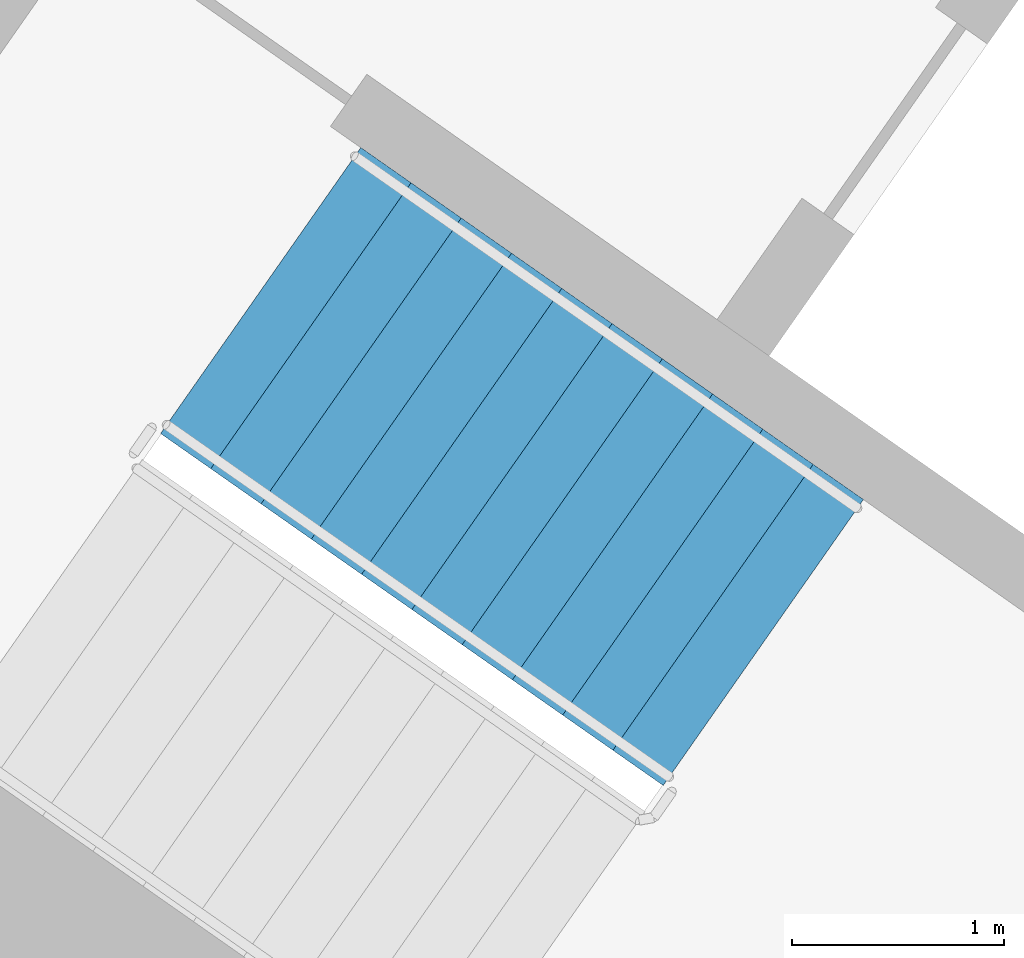
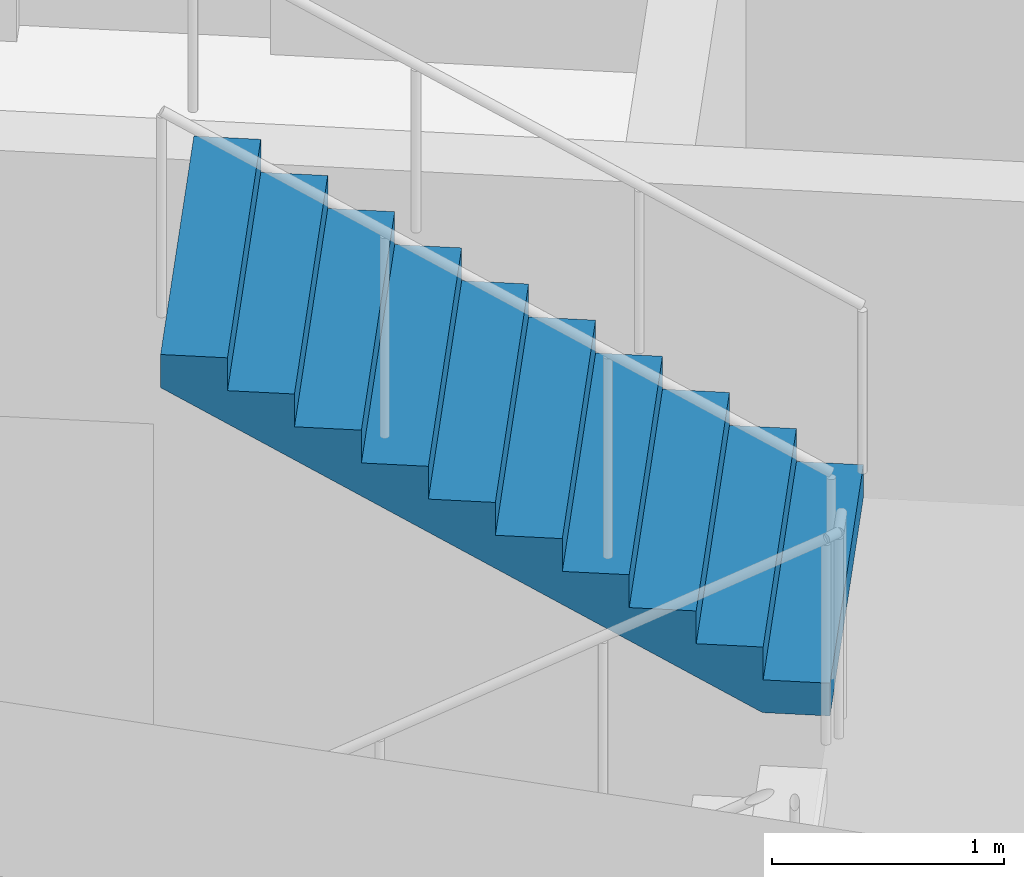
# One storey, part 11 of 33: 1 stair flight, 1 element without a shape of its own.
"""IFC4 building model written with IfcOpenShell, lengths in metres."""

from ifc_helpers import new_model, si_unit, direction, frame, origin, place, context, subcontext, project, spatial, faceted_brep, material, type_object, element, aggregate, save


model = new_model("IFC4")

# Units and contexts
model_context = context("Model", 3, precision=1e-05, world=origin(), true_north=direction((0.0, 1.0)))
body_context = subcontext(model_context, "Body", "Model", "MODEL_VIEW")
ifc_project = project(units=[si_unit("LENGTHUNIT", "METRE"), si_unit("AREAUNIT", "SQUARE_METRE"), si_unit("VOLUMEUNIT", "CUBIC_METRE"), si_unit("PLANEANGLEUNIT", "RADIAN"), si_unit("MASSUNIT", "GRAM", prefix="KILO")], contexts=[model_context])

# Site, building, storey
site_placement = place(None, origin())
site = spatial("IfcSite", under=ifc_project, at=site_placement, CompositionType="ELEMENT")
building_placement = place(site_placement, origin())
building = spatial("IfcBuilding", under=site, at=building_placement, Name="Qamariyya Broadcast Tower", CompositionType="ELEMENT")
storey_placement = place(building_placement, frame((0.0, 0.0, 94.89990234375)))
storey = spatial("IfcBuildingStorey", under=building, at=storey_placement, Name="L20", CompositionType="ELEMENT", Elevation=94.89990234375)

# Stair, stair flight
ifc_material = material(Name="Concrete C50/60", Category="concrete")
stair_type = type_object("IfcStairType", Name="Exit stair 22 risers of 173 mm", PredefinedType="HALF_TURN_STAIR", material=ifc_material)
stair_placement = place(storey_placement, origin())
stair = element("IfcStair", 1, at=stair_placement, inside=storey, type_object=stair_type, Name="L20 Stair W1", PredefinedType="HALF_TURN_STAIR")
stair_flight_type = type_object("IfcStairFlightType", Name="Exit stair flight 11 risers of 173 mm", PredefinedType="STRAIGHT", material=ifc_material)
stair_flight_placement = place(storey_placement, frame((-43.660888671875, -57.17138671875, 1.900146484375), z_axis=(0.0, 0.0, 1.0), x_axis=(-0.819152044289, 0.573576436351, 0.0)))
stair_flight = element("IfcStairFlight", 2, at=stair_flight_placement, type_object=stair_flight_type, Name="ST-W1 flight 2", NumberOfRisers=11, NumberOfTreads=10, PredefinedType="STRAIGHT", RiserHeight=0.172727273, TreadLength=0.29, context=body_context, shape_type="Brep", body=[
    faceted_brep([(0.0, 0.824951171875, 0.0), (0.0, 0.824951171875, 0.172607421875), (0.2900390625, 0.824951171875, 0.172607421875), (0.2900390625, 0.824951171875, 0.345458984375), (0.580078125, 0.824951171875, 0.345458984375), (0.580078125, 0.824951171875, 0.51806640625), (0.8701171875, 0.824951171875, 0.51806640625), (0.8701171875, 0.824951171875, 0.69091796875), (1.159912109375, 0.824951171875, 0.69091796875), (1.159912109375, 0.824951171875, 0.863525390625), (1.449951171875, 0.824951171875, 0.863525390625), (1.449951171875, 0.824951171875, 1.036376953125), (1.739990234375, 0.824951171875, 1.036376953125), (1.739990234375, 0.824951171875, 1.208984375), (2.030029296875, 0.824951171875, 1.208984375), (2.030029296875, 0.824951171875, 1.3818359375), (2.320068359375, 0.824951171875, 1.3818359375), (2.320068359375, 0.824951171875, 1.554443359375), (2.610107421875, 0.824951171875, 1.554443359375), (2.610107421875, 0.824951171875, 1.727294921875), (2.89990234375, 0.824951171875, 1.727294921875), (2.89990234375, 0.824951171875, 1.552734375), (0.29296875, 0.824951171875, 0.0), (0.29296875, -0.824951171875, 0.0), (2.89990234375, -0.824951171875, 1.552734375), (2.89990234375, -0.824951171875, 1.727294921875), (2.610107421875, -0.824951171875, 1.727294921875), (2.610107421875, -0.824951171875, 1.554443359375), (2.320068359375, -0.824951171875, 1.554443359375), (2.320068359375, -0.824951171875, 1.3818359375), (2.030029296875, -0.824951171875, 1.3818359375), (2.030029296875, -0.824951171875, 1.208984375), (1.739990234375, -0.824951171875, 1.208984375), (1.739990234375, -0.824951171875, 1.036376953125), (1.449951171875, -0.824951171875, 1.036376953125), (1.449951171875, -0.824951171875, 0.863525390625), (1.159912109375, -0.824951171875, 0.863525390625), (1.159912109375, -0.824951171875, 0.69091796875), (0.8701171875, -0.824951171875, 0.69091796875), (0.8701171875, -0.824951171875, 0.51806640625), (0.580078125, -0.824951171875, 0.51806640625), (0.580078125, -0.824951171875, 0.345458984375), (0.2900390625, -0.824951171875, 0.345458984375), (0.2900390625, -0.824951171875, 0.172607421875), (0.0, -0.824951171875, 0.172607421875), (0.0, -0.824951171875, 0.0), (0.0, 0.10009765625, 0.0), (0.0, 0.086669921875, 0.0), (0.0, 0.0732421875, 0.0), (0.0, 0.06005859375, 0.0), (0.0, 0.046630859375, 0.0), (0.0, 0.033447265625, 0.0), (0.0, 0.02001953125, 0.0), (0.0, 0.006591796875, 0.0), (0.0, -0.006591796875, 0.0), (0.0, -0.02001953125, 0.0), (0.0, -0.033447265625, 0.0), (0.0, -0.046630859375, 0.0), (0.0, -0.06005859375, 0.0), (0.0, -0.0732421875, 0.0), (0.0, -0.086669921875, 0.0), (0.0, -0.10009765625, 0.0), (0.0, -0.10009765625, 0.172607421875), (0.0, -0.086669921875, 0.172607421875), (0.0, -0.0732421875, 0.172607421875), (0.0, -0.06005859375, 0.172607421875), (0.0, -0.046630859375, 0.172607421875), (0.0, -0.033447265625, 0.172607421875), (0.0, -0.02001953125, 0.172607421875), (0.0, -0.006591796875, 0.172607421875), (0.0, 0.006591796875, 0.172607421875), (0.0, 0.02001953125, 0.172607421875), (0.0, 0.033447265625, 0.172607421875), (0.0, 0.046630859375, 0.172607421875), (0.0, 0.06005859375, 0.172607421875), (0.0, 0.0732421875, 0.172607421875), (0.0, 0.086669921875, 0.172607421875), (0.0, 0.10009765625, 0.172607421875), (0.2900390625, -0.10009765625, 0.172607421875), (0.2900390625, -0.086669921875, 0.172607421875), (0.2900390625, -0.0732421875, 0.172607421875), (0.2900390625, -0.06005859375, 0.172607421875), (0.2900390625, -0.046630859375, 0.172607421875), (0.2900390625, -0.033447265625, 0.172607421875), (0.2900390625, -0.02001953125, 0.172607421875), (0.2900390625, -0.006591796875, 0.172607421875), (0.2900390625, 0.006591796875, 0.172607421875), (0.2900390625, 0.02001953125, 0.172607421875), (0.2900390625, 0.033447265625, 0.172607421875), (0.2900390625, 0.046630859375, 0.172607421875), (0.2900390625, 0.06005859375, 0.172607421875), (0.2900390625, 0.0732421875, 0.172607421875), (0.2900390625, 0.086669921875, 0.172607421875), (0.2900390625, 0.10009765625, 0.172607421875), (0.2900390625, -0.10009765625, 0.345458984375), (0.2900390625, -0.086669921875, 0.345458984375), (0.2900390625, -0.0732421875, 0.345458984375), (0.2900390625, -0.06005859375, 0.345458984375), (0.2900390625, -0.046630859375, 0.345458984375), (0.2900390625, -0.033447265625, 0.345458984375), (0.2900390625, -0.02001953125, 0.345458984375), (0.2900390625, -0.006591796875, 0.345458984375), (0.2900390625, 0.006591796875, 0.345458984375), (0.2900390625, 0.02001953125, 0.345458984375), (0.2900390625, 0.033447265625, 0.345458984375), (0.2900390625, 0.046630859375, 0.345458984375), (0.2900390625, 0.06005859375, 0.345458984375), (0.2900390625, 0.0732421875, 0.345458984375), (0.2900390625, 0.086669921875, 0.345458984375), (0.2900390625, 0.10009765625, 0.345458984375), (0.580078125, -0.10009765625, 0.345458984375), (0.580078125, -0.086669921875, 0.345458984375), (0.580078125, -0.0732421875, 0.345458984375), (0.580078125, -0.06005859375, 0.345458984375), (0.580078125, -0.046630859375, 0.345458984375), (0.580078125, -0.033447265625, 0.345458984375), (0.580078125, -0.02001953125, 0.345458984375), (0.580078125, -0.006591796875, 0.345458984375), (0.580078125, 0.006591796875, 0.345458984375), (0.580078125, 0.02001953125, 0.345458984375), (0.580078125, 0.033447265625, 0.345458984375), (0.580078125, 0.046630859375, 0.345458984375), (0.580078125, 0.06005859375, 0.345458984375), (0.580078125, 0.0732421875, 0.345458984375), (0.580078125, 0.086669921875, 0.345458984375), (0.580078125, 0.10009765625, 0.345458984375), (0.580078125, -0.10009765625, 0.51806640625), (0.580078125, -0.086669921875, 0.51806640625), (0.580078125, -0.0732421875, 0.51806640625), (0.580078125, -0.06005859375, 0.51806640625), (0.580078125, -0.046630859375, 0.51806640625), (0.580078125, -0.033447265625, 0.51806640625), (0.580078125, -0.02001953125, 0.51806640625), (0.580078125, -0.006591796875, 0.51806640625), (0.580078125, 0.006591796875, 0.51806640625), (0.580078125, 0.02001953125, 0.51806640625), (0.580078125, 0.033447265625, 0.51806640625), (0.580078125, 0.046630859375, 0.51806640625), (0.580078125, 0.06005859375, 0.51806640625), (0.580078125, 0.0732421875, 0.51806640625), (0.580078125, 0.086669921875, 0.51806640625), (0.580078125, 0.10009765625, 0.51806640625), (0.8701171875, -0.10009765625, 0.51806640625), (0.8701171875, -0.086669921875, 0.51806640625), (0.8701171875, -0.0732421875, 0.51806640625), (0.8701171875, -0.06005859375, 0.51806640625), (0.8701171875, -0.046630859375, 0.51806640625), (0.8701171875, -0.033447265625, 0.51806640625), (0.8701171875, -0.02001953125, 0.51806640625), (0.8701171875, -0.006591796875, 0.51806640625), (0.8701171875, 0.006591796875, 0.51806640625), (0.8701171875, 0.02001953125, 0.51806640625), (0.8701171875, 0.033447265625, 0.51806640625), (0.8701171875, 0.046630859375, 0.51806640625), (0.8701171875, 0.06005859375, 0.51806640625), (0.8701171875, 0.0732421875, 0.51806640625), (0.8701171875, 0.086669921875, 0.51806640625), (0.8701171875, 0.10009765625, 0.51806640625), (0.8701171875, -0.10009765625, 0.69091796875), (0.8701171875, -0.086669921875, 0.69091796875), (0.8701171875, -0.0732421875, 0.69091796875), (0.8701171875, -0.06005859375, 0.69091796875), (0.8701171875, -0.046630859375, 0.69091796875), (0.8701171875, -0.033447265625, 0.69091796875), (0.8701171875, -0.02001953125, 0.69091796875), (0.8701171875, -0.006591796875, 0.69091796875), (0.8701171875, 0.006591796875, 0.69091796875), (0.8701171875, 0.02001953125, 0.69091796875), (0.8701171875, 0.033447265625, 0.69091796875), (0.8701171875, 0.046630859375, 0.69091796875), (0.8701171875, 0.06005859375, 0.69091796875), (0.8701171875, 0.0732421875, 0.69091796875), (0.8701171875, 0.086669921875, 0.69091796875), (0.8701171875, 0.10009765625, 0.69091796875), (1.159912109375, -0.10009765625, 0.69091796875), (1.159912109375, -0.086669921875, 0.69091796875), (1.159912109375, -0.0732421875, 0.69091796875), (1.159912109375, -0.06005859375, 0.69091796875), (1.159912109375, -0.046630859375, 0.69091796875), (1.159912109375, -0.033447265625, 0.69091796875), (1.159912109375, -0.02001953125, 0.69091796875), (1.159912109375, -0.006591796875, 0.69091796875), (1.159912109375, 0.006591796875, 0.69091796875), (1.159912109375, 0.02001953125, 0.69091796875), (1.159912109375, 0.033447265625, 0.69091796875), (1.159912109375, 0.046630859375, 0.69091796875), (1.159912109375, 0.06005859375, 0.69091796875), (1.159912109375, 0.0732421875, 0.69091796875), (1.159912109375, 0.086669921875, 0.69091796875), (1.159912109375, 0.10009765625, 0.69091796875), (1.159912109375, -0.10009765625, 0.863525390625), (1.159912109375, -0.086669921875, 0.863525390625), (1.159912109375, -0.0732421875, 0.863525390625), (1.159912109375, -0.06005859375, 0.863525390625), (1.159912109375, -0.046630859375, 0.863525390625), (1.159912109375, -0.033447265625, 0.863525390625), (1.159912109375, -0.02001953125, 0.863525390625), (1.159912109375, -0.006591796875, 0.863525390625), (1.159912109375, 0.006591796875, 0.863525390625), (1.159912109375, 0.02001953125, 0.863525390625), (1.159912109375, 0.033447265625, 0.863525390625), (1.159912109375, 0.046630859375, 0.863525390625), (1.159912109375, 0.06005859375, 0.863525390625), (1.159912109375, 0.0732421875, 0.863525390625), (1.159912109375, 0.086669921875, 0.863525390625), (1.159912109375, 0.10009765625, 0.863525390625), (1.449951171875, -0.10009765625, 0.863525390625), (1.449951171875, -0.086669921875, 0.863525390625), (1.449951171875, -0.0732421875, 0.863525390625), (1.449951171875, -0.06005859375, 0.863525390625), (1.449951171875, -0.046630859375, 0.863525390625), (1.449951171875, -0.033447265625, 0.863525390625), (1.449951171875, -0.02001953125, 0.863525390625), (1.449951171875, -0.006591796875, 0.863525390625), (1.449951171875, 0.006591796875, 0.863525390625), (1.449951171875, 0.02001953125, 0.863525390625), (1.449951171875, 0.033447265625, 0.863525390625), (1.449951171875, 0.046630859375, 0.863525390625), (1.449951171875, 0.06005859375, 0.863525390625), (1.449951171875, 0.0732421875, 0.863525390625), (1.449951171875, 0.086669921875, 0.863525390625), (1.449951171875, 0.10009765625, 0.863525390625), (1.449951171875, -0.10009765625, 1.036376953125), (1.449951171875, -0.086669921875, 1.036376953125), (1.449951171875, -0.0732421875, 1.036376953125), (1.449951171875, -0.06005859375, 1.036376953125), (1.449951171875, -0.046630859375, 1.036376953125), (1.449951171875, -0.033447265625, 1.036376953125), (1.449951171875, -0.02001953125, 1.036376953125), (1.449951171875, -0.006591796875, 1.036376953125), (1.449951171875, 0.006591796875, 1.036376953125), (1.449951171875, 0.02001953125, 1.036376953125), (1.449951171875, 0.033447265625, 1.036376953125), (1.449951171875, 0.046630859375, 1.036376953125), (1.449951171875, 0.06005859375, 1.036376953125), (1.449951171875, 0.0732421875, 1.036376953125), (1.449951171875, 0.086669921875, 1.036376953125), (1.449951171875, 0.10009765625, 1.036376953125), (1.739990234375, -0.10009765625, 1.036376953125), (1.739990234375, -0.086669921875, 1.036376953125), (1.739990234375, -0.0732421875, 1.036376953125), (1.739990234375, -0.06005859375, 1.036376953125), (1.739990234375, -0.046630859375, 1.036376953125), (1.739990234375, -0.033447265625, 1.036376953125), (1.739990234375, -0.02001953125, 1.036376953125), (1.739990234375, -0.006591796875, 1.036376953125), (1.739990234375, 0.006591796875, 1.036376953125), (1.739990234375, 0.02001953125, 1.036376953125), (1.739990234375, 0.033447265625, 1.036376953125), (1.739990234375, 0.046630859375, 1.036376953125), (1.739990234375, 0.06005859375, 1.036376953125), (1.739990234375, 0.0732421875, 1.036376953125), (1.739990234375, 0.086669921875, 1.036376953125), (1.739990234375, 0.10009765625, 1.036376953125), (1.739990234375, -0.10009765625, 1.208984375), (1.739990234375, -0.086669921875, 1.208984375), (1.739990234375, -0.0732421875, 1.208984375), (1.739990234375, -0.06005859375, 1.208984375), (1.739990234375, -0.046630859375, 1.208984375), (1.739990234375, -0.033447265625, 1.208984375), (1.739990234375, -0.02001953125, 1.208984375), (1.739990234375, -0.006591796875, 1.208984375), (1.739990234375, 0.006591796875, 1.208984375), (1.739990234375, 0.02001953125, 1.208984375), (1.739990234375, 0.033447265625, 1.208984375), (1.739990234375, 0.046630859375, 1.208984375), (1.739990234375, 0.06005859375, 1.208984375), (1.739990234375, 0.0732421875, 1.208984375), (1.739990234375, 0.086669921875, 1.208984375), (1.739990234375, 0.10009765625, 1.208984375), (2.030029296875, -0.10009765625, 1.208984375), (2.030029296875, -0.086669921875, 1.208984375), (2.030029296875, -0.0732421875, 1.208984375), (2.030029296875, -0.06005859375, 1.208984375), (2.030029296875, -0.046630859375, 1.208984375), (2.030029296875, -0.033447265625, 1.208984375), (2.030029296875, -0.02001953125, 1.208984375), (2.030029296875, -0.006591796875, 1.208984375), (2.030029296875, 0.006591796875, 1.208984375), (2.030029296875, 0.02001953125, 1.208984375), (2.030029296875, 0.033447265625, 1.208984375), (2.030029296875, 0.046630859375, 1.208984375), (2.030029296875, 0.06005859375, 1.208984375), (2.030029296875, 0.0732421875, 1.208984375), (2.030029296875, 0.086669921875, 1.208984375), (2.030029296875, 0.10009765625, 1.208984375), (2.030029296875, -0.10009765625, 1.3818359375), (2.030029296875, -0.086669921875, 1.3818359375), (2.030029296875, -0.0732421875, 1.3818359375), (2.030029296875, -0.06005859375, 1.3818359375), (2.030029296875, -0.046630859375, 1.3818359375), (2.030029296875, -0.033447265625, 1.3818359375), (2.030029296875, -0.02001953125, 1.3818359375), (2.030029296875, -0.006591796875, 1.3818359375), (2.030029296875, 0.006591796875, 1.3818359375), (2.030029296875, 0.02001953125, 1.3818359375), (2.030029296875, 0.033447265625, 1.3818359375), (2.030029296875, 0.046630859375, 1.3818359375), (2.030029296875, 0.06005859375, 1.3818359375), (2.030029296875, 0.0732421875, 1.3818359375), (2.030029296875, 0.086669921875, 1.3818359375), (2.030029296875, 0.10009765625, 1.3818359375), (2.320068359375, -0.10009765625, 1.3818359375), (2.320068359375, -0.086669921875, 1.3818359375), (2.320068359375, -0.0732421875, 1.3818359375), (2.320068359375, -0.06005859375, 1.3818359375), (2.320068359375, -0.046630859375, 1.3818359375), (2.320068359375, -0.033447265625, 1.3818359375), (2.320068359375, -0.02001953125, 1.3818359375), (2.320068359375, -0.006591796875, 1.3818359375), (2.320068359375, 0.006591796875, 1.3818359375), (2.320068359375, 0.02001953125, 1.3818359375), (2.320068359375, 0.033447265625, 1.3818359375), (2.320068359375, 0.046630859375, 1.3818359375), (2.320068359375, 0.06005859375, 1.3818359375), (2.320068359375, 0.0732421875, 1.3818359375), (2.320068359375, 0.086669921875, 1.3818359375), (2.320068359375, 0.10009765625, 1.3818359375), (2.320068359375, -0.10009765625, 1.554443359375), (2.320068359375, -0.086669921875, 1.554443359375), (2.320068359375, -0.0732421875, 1.554443359375), (2.320068359375, -0.06005859375, 1.554443359375), (2.320068359375, -0.046630859375, 1.554443359375), (2.320068359375, -0.033447265625, 1.554443359375), (2.320068359375, -0.02001953125, 1.554443359375), (2.320068359375, -0.006591796875, 1.554443359375), (2.320068359375, 0.006591796875, 1.554443359375), (2.320068359375, 0.02001953125, 1.554443359375), (2.320068359375, 0.033447265625, 1.554443359375), (2.320068359375, 0.046630859375, 1.554443359375), (2.320068359375, 0.06005859375, 1.554443359375), (2.320068359375, 0.0732421875, 1.554443359375), (2.320068359375, 0.086669921875, 1.554443359375), (2.320068359375, 0.10009765625, 1.554443359375), (2.610107421875, -0.10009765625, 1.554443359375), (2.610107421875, -0.086669921875, 1.554443359375), (2.610107421875, -0.0732421875, 1.554443359375), (2.610107421875, -0.06005859375, 1.554443359375), (2.610107421875, -0.046630859375, 1.554443359375), (2.610107421875, -0.033447265625, 1.554443359375), (2.610107421875, -0.02001953125, 1.554443359375), (2.610107421875, -0.006591796875, 1.554443359375), (2.610107421875, 0.006591796875, 1.554443359375), (2.610107421875, 0.02001953125, 1.554443359375), (2.610107421875, 0.033447265625, 1.554443359375), (2.610107421875, 0.046630859375, 1.554443359375), (2.610107421875, 0.06005859375, 1.554443359375), (2.610107421875, 0.0732421875, 1.554443359375), (2.610107421875, 0.086669921875, 1.554443359375), (2.610107421875, 0.10009765625, 1.554443359375), (2.610107421875, -0.10009765625, 1.727294921875), (2.610107421875, -0.086669921875, 1.727294921875), (2.610107421875, -0.0732421875, 1.727294921875), (2.610107421875, -0.06005859375, 1.727294921875), (2.610107421875, -0.046630859375, 1.727294921875), (2.610107421875, -0.033447265625, 1.727294921875), (2.610107421875, -0.02001953125, 1.727294921875), (2.610107421875, -0.006591796875, 1.727294921875), (2.610107421875, 0.006591796875, 1.727294921875), (2.610107421875, 0.02001953125, 1.727294921875), (2.610107421875, 0.033447265625, 1.727294921875), (2.610107421875, 0.046630859375, 1.727294921875), (2.610107421875, 0.06005859375, 1.727294921875), (2.610107421875, 0.0732421875, 1.727294921875), (2.610107421875, 0.086669921875, 1.727294921875), (2.610107421875, 0.10009765625, 1.727294921875), (2.89990234375, -0.10009765625, 1.727294921875), (2.89990234375, -0.086669921875, 1.727294921875), (2.89990234375, -0.0732421875, 1.727294921875), (2.89990234375, -0.06005859375, 1.727294921875), (2.89990234375, -0.046630859375, 1.727294921875), (2.89990234375, -0.033447265625, 1.727294921875), (2.89990234375, -0.02001953125, 1.727294921875), (2.89990234375, -0.006591796875, 1.727294921875), (2.89990234375, 0.006591796875, 1.727294921875), (2.89990234375, 0.02001953125, 1.727294921875), (2.89990234375, 0.033447265625, 1.727294921875), (2.89990234375, 0.046630859375, 1.727294921875), (2.89990234375, 0.06005859375, 1.727294921875), (2.89990234375, 0.0732421875, 1.727294921875), (2.89990234375, 0.086669921875, 1.727294921875), (2.89990234375, 0.10009765625, 1.727294921875), (2.89990234375, -0.10009765625, 1.552734375), (2.89990234375, -0.086669921875, 1.552734375), (2.89990234375, -0.0732421875, 1.552734375), (2.89990234375, -0.06005859375, 1.552734375), (2.89990234375, -0.046630859375, 1.552734375), (2.89990234375, -0.033447265625, 1.552734375), (2.89990234375, -0.02001953125, 1.552734375), (2.89990234375, -0.006591796875, 1.552734375), (2.89990234375, 0.006591796875, 1.552734375), (2.89990234375, 0.02001953125, 1.552734375), (2.89990234375, 0.033447265625, 1.552734375), (2.89990234375, 0.046630859375, 1.552734375), (2.89990234375, 0.06005859375, 1.552734375), (2.89990234375, 0.0732421875, 1.552734375), (2.89990234375, 0.086669921875, 1.552734375), (2.89990234375, 0.10009765625, 1.552734375), (0.29296875, -0.10009765625, 0.0), (0.29296875, -0.086669921875, 0.0), (0.29296875, -0.0732421875, 0.0), (0.29296875, -0.06005859375, 0.0), (0.29296875, -0.046630859375, 0.0), (0.29296875, -0.033447265625, 0.0), (0.29296875, -0.02001953125, 0.0), (0.29296875, -0.006591796875, 0.0), (0.29296875, 0.006591796875, 0.0), (0.29296875, 0.02001953125, 0.0), (0.29296875, 0.033447265625, 0.0), (0.29296875, 0.046630859375, 0.0), (0.29296875, 0.06005859375, 0.0), (0.29296875, 0.0732421875, 0.0), (0.29296875, 0.086669921875, 0.0), (0.29296875, 0.10009765625, 0.0)], [[[0, 1, 2, 3, 4, 5, 6, 7, 8, 9, 10, 11, 12, 13, 14, 15, 16, 17, 18, 19, 20, 21, 22]], [[23, 24, 25, 26, 27, 28, 29, 30, 31, 32, 33, 34, 35, 36, 37, 38, 39, 40, 41, 42, 43, 44, 45]], [[0, 46, 47, 48, 49, 50, 51, 52, 53, 54, 55, 56, 57, 58, 59, 60, 61, 45, 44, 62, 63, 64, 65, 66, 67, 68, 69, 70, 71, 72, 73, 74, 75, 76, 77, 1]], [[1, 77, 76, 75, 74, 73, 72, 71, 70, 69, 68, 67, 66, 65, 64, 63, 62, 44, 43, 78, 79, 80, 81, 82, 83, 84, 85, 86, 87, 88, 89, 90, 91, 92, 93, 2]], [[2, 93, 92, 91, 90, 89, 88, 87, 86, 85, 84, 83, 82, 81, 80, 79, 78, 43, 42, 94, 95, 96, 97, 98, 99, 100, 101, 102, 103, 104, 105, 106, 107, 108, 109, 3]], [[3, 109, 108, 107, 106, 105, 104, 103, 102, 101, 100, 99, 98, 97, 96, 95, 94, 42, 41, 110, 111, 112, 113, 114, 115, 116, 117, 118, 119, 120, 121, 122, 123, 124, 125, 4]], [[4, 125, 124, 123, 122, 121, 120, 119, 118, 117, 116, 115, 114, 113, 112, 111, 110, 41, 40, 126, 127, 128, 129, 130, 131, 132, 133, 134, 135, 136, 137, 138, 139, 140, 141, 5]], [[5, 141, 140, 139, 138, 137, 136, 135, 134, 133, 132, 131, 130, 129, 128, 127, 126, 40, 39, 142, 143, 144, 145, 146, 147, 148, 149, 150, 151, 152, 153, 154, 155, 156, 157, 6]], [[6, 157, 156, 155, 154, 153, 152, 151, 150, 149, 148, 147, 146, 145, 144, 143, 142, 39, 38, 158, 159, 160, 161, 162, 163, 164, 165, 166, 167, 168, 169, 170, 171, 172, 173, 7]], [[7, 173, 172, 171, 170, 169, 168, 167, 166, 165, 164, 163, 162, 161, 160, 159, 158, 38, 37, 174, 175, 176, 177, 178, 179, 180, 181, 182, 183, 184, 185, 186, 187, 188, 189, 8]], [[8, 189, 188, 187, 186, 185, 184, 183, 182, 181, 180, 179, 178, 177, 176, 175, 174, 37, 36, 190, 191, 192, 193, 194, 195, 196, 197, 198, 199, 200, 201, 202, 203, 204, 205, 9]], [[9, 205, 204, 203, 202, 201, 200, 199, 198, 197, 196, 195, 194, 193, 192, 191, 190, 36, 35, 206, 207, 208, 209, 210, 211, 212, 213, 214, 215, 216, 217, 218, 219, 220, 221, 10]], [[10, 221, 220, 219, 218, 217, 216, 215, 214, 213, 212, 211, 210, 209, 208, 207, 206, 35, 34, 222, 223, 224, 225, 226, 227, 228, 229, 230, 231, 232, 233, 234, 235, 236, 237, 11]], [[11, 237, 236, 235, 234, 233, 232, 231, 230, 229, 228, 227, 226, 225, 224, 223, 222, 34, 33, 238, 239, 240, 241, 242, 243, 244, 245, 246, 247, 248, 249, 250, 251, 252, 253, 12]], [[12, 253, 252, 251, 250, 249, 248, 247, 246, 245, 244, 243, 242, 241, 240, 239, 238, 33, 32, 254, 255, 256, 257, 258, 259, 260, 261, 262, 263, 264, 265, 266, 267, 268, 269, 13]], [[13, 269, 268, 267, 266, 265, 264, 263, 262, 261, 260, 259, 258, 257, 256, 255, 254, 32, 31, 270, 271, 272, 273, 274, 275, 276, 277, 278, 279, 280, 281, 282, 283, 284, 285, 14]], [[14, 285, 284, 283, 282, 281, 280, 279, 278, 277, 276, 275, 274, 273, 272, 271, 270, 31, 30, 286, 287, 288, 289, 290, 291, 292, 293, 294, 295, 296, 297, 298, 299, 300, 301, 15]], [[15, 301, 300, 299, 298, 297, 296, 295, 294, 293, 292, 291, 290, 289, 288, 287, 286, 30, 29, 302, 303, 304, 305, 306, 307, 308, 309, 310, 311, 312, 313, 314, 315, 316, 317, 16]], [[16, 317, 316, 315, 314, 313, 312, 311, 310, 309, 308, 307, 306, 305, 304, 303, 302, 29, 28, 318, 319, 320, 321, 322, 323, 324, 325, 326, 327, 328, 329, 330, 331, 332, 333, 17]], [[17, 333, 332, 331, 330, 329, 328, 327, 326, 325, 324, 323, 322, 321, 320, 319, 318, 28, 27, 334, 335, 336, 337, 338, 339, 340, 341, 342, 343, 344, 345, 346, 347, 348, 349, 18]], [[18, 349, 348, 347, 346, 345, 344, 343, 342, 341, 340, 339, 338, 337, 336, 335, 334, 27, 26, 350, 351, 352, 353, 354, 355, 356, 357, 358, 359, 360, 361, 362, 363, 364, 365, 19]], [[19, 365, 364, 363, 362, 361, 360, 359, 358, 357, 356, 355, 354, 353, 352, 351, 350, 26, 25, 366, 367, 368, 369, 370, 371, 372, 373, 374, 375, 376, 377, 378, 379, 380, 381, 20]], [[20, 381, 380, 379, 378, 377, 376, 375, 374, 373, 372, 371, 370, 369, 368, 367, 366, 25, 24, 382, 383, 384, 385, 386, 387, 388, 389, 390, 391, 392, 393, 394, 395, 396, 397, 21]], [[21, 397, 396, 395, 394, 393, 392, 391, 390, 389, 388, 387, 386, 385, 384, 383, 382, 24, 23, 398, 399, 400, 401, 402, 403, 404, 405, 406, 407, 408, 409, 410, 411, 412, 413, 22]], [[22, 413, 412, 411, 410, 409, 408, 407, 406, 405, 404, 403, 402, 401, 400, 399, 398, 23, 45, 61, 60, 59, 58, 57, 56, 55, 54, 53, 52, 51, 50, 49, 48, 47, 46, 0]]]),
])
aggregate(stair, [stair_flight])

save(model, "model.ifc")
